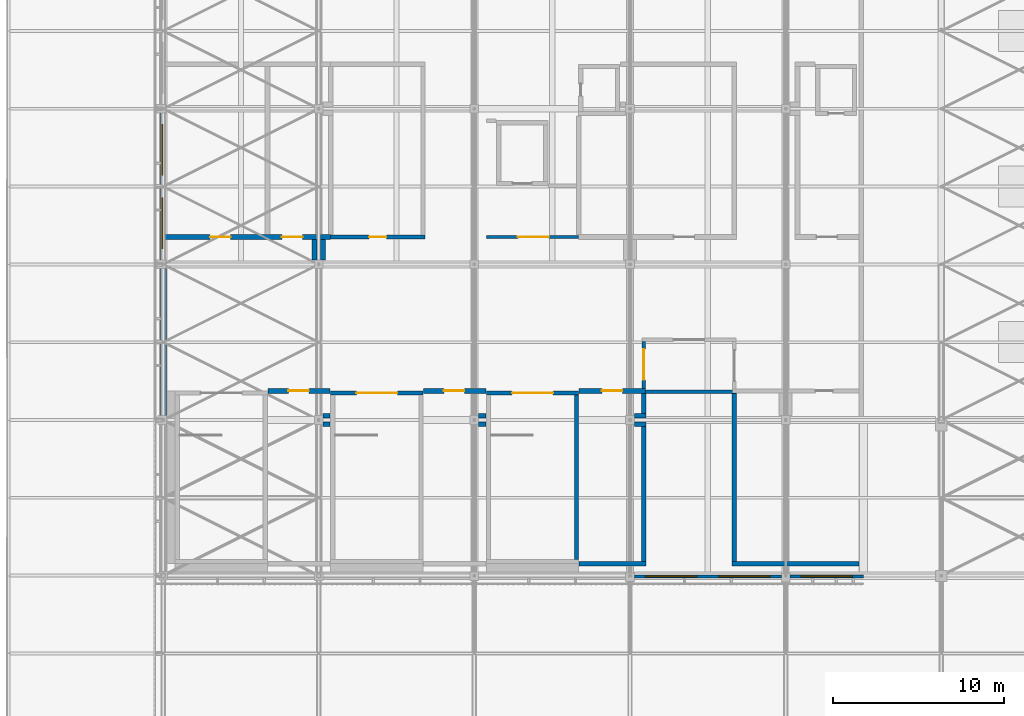
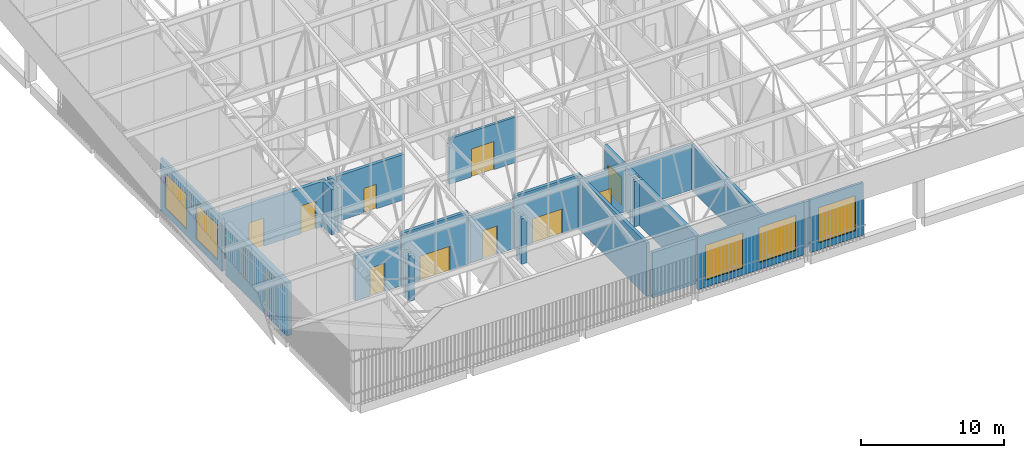
# One storey, part 424 of 500: 29 walls, 10 doors, 5 windows, 15 openings.
"""IFC4 building model written with IfcOpenShell, lengths in metres."""

from ifc_helpers import new_model, si_unit, direction, frame, frame_2d, origin, place, context, subcontext, project, spatial, rectangle, extrude, material, layer, layer_set, type_object, element, fill, save


model = new_model("IFC4")

# Units and contexts
model_context = context("Model", 3, precision=1e-05, world=origin(), true_north=direction((0.0, 1.0)))
body_context = subcontext(model_context, "Body", "Model", "MODEL_VIEW")
ifc_project = project(units=[si_unit("LENGTHUNIT", "METRE"), si_unit("AREAUNIT", "SQUARE_METRE"), si_unit("VOLUMEUNIT", "CUBIC_METRE"), si_unit("PLANEANGLEUNIT", "RADIAN"), si_unit("MASSUNIT", "GRAM", prefix="KILO")], contexts=[model_context])

# Site, building, storey
site_placement = place(None, origin())
site = spatial("IfcSite", under=ifc_project, at=site_placement, CompositionType="ELEMENT")
building_placement = place(site_placement, origin())
building = spatial("IfcBuilding", under=site, at=building_placement, Name="Shirokan Park Arena", CompositionType="ELEMENT")
storey_placement = place(building_placement, frame((0.0, 0.0, 29.1201171875)))
storey = spatial("IfcBuildingStorey", under=building, at=storey_placement, Name="L06", CompositionType="ELEMENT", Elevation=29.1201171875)

# Wall, opening, door
ifc_material_1 = material(Name="Plaster")
ifc_layer_1 = layer(ifc_material_1, 0.014892578125, Name="Plaster")
ifc_material_2 = material(Name="Concrete blockwork", Category="masonry")
ifc_layer_2 = layer(ifc_material_2, 0.219970703125, Name="Concrete blockwork 220")
ifc_layer_3 = layer(ifc_material_1, 0.014892578125, Name="Plaster")
ifc_layer_set_1 = layer_set([ifc_layer_1, ifc_layer_2, ifc_layer_3], Name="Plaster + Concrete blockwork 220")
wall_type_1 = type_object("IfcWallType", Name="Compartment wall 250", PredefinedType="SOLIDWALL", material=ifc_layer_set_1)
wall_1_placement = place(storey_placement, frame((9.800048828125, 19.800048828125, 0.0), z_axis=(0.0, 0.0, 1.0), x_axis=(1.0, 0.0, 0.0)))
wall_1 = element("IfcWall", 1, at=wall_1_placement, inside=storey, type_object=wall_type_1, Name="Compartment wall 250 L06", PredefinedType="SOLIDWALL", context=body_context, shape_type="SweptSolid", body=[
    extrude(rectangle(XDim=5.52490234375, YDim=0.25, at=frame_2d((2.762451171875, 0.0))), origin(), (0.0, 0.0, 1.0), 3.8798828125),
])
opening_1_placement = place(wall_1_placement, frame((2.25, 0.0, 0.0)))
opening_1 = element("IfcOpeningElement", 2, at=opening_1_placement, cuts=wall_1, Name="Opening D-6005", PredefinedType="OPENING", context=body_context, shape_type="SweptSolid", body=[
    extrude(rectangle(XDim=1.0, YDim=2.10009765625, at=frame_2d((0.5, 1.050048828125))), frame((0.0, 0.135009765625, 0.0), z_axis=(0.0, -1.0, 0.0), x_axis=(1.0, 0.0, 0.0)), (0.0, 0.0, 1.0), 0.27001953125),
])
ifc_material_3 = material(Name="Timber door set, fire resisting", Category="wood")
door_type_1 = type_object("IfcDoorType", Name="Door 1000 x 2100", OperationType="SINGLE_SWING_LEFT", PredefinedType="DOOR", material=ifc_material_3)
door_1_placement = place(opening_1_placement, origin())
door_1 = element("IfcDoor", 3, at=door_1_placement, inside=storey, type_object=door_type_1, Name="Door to Maintenance Equipment Store 6.16 D-6005", OperationType="SINGLE_SWING_RIGHT", OverallHeight=2.10009765625, OverallWidth=1.0, PredefinedType="DOOR", context=body_context, shape_type="SweptSolid", body=[
    extrude(rectangle(XDim=1.0, YDim=2.10009765625, at=frame_2d((0.5, 1.050048828125))), frame((0.0, 0.02490234375, 0.0), z_axis=(0.0, -1.0, 0.0), x_axis=(1.0, 0.0, 0.0)), (0.0, 0.0, 1.0), 0.050048828125),
])
fill(opening_1, door_1)

# Walls
wall_2_placement = place(storey_placement, frame((33.39990234375, 0.824951171875, 0.0), z_axis=(0.0, 0.0, 1.0), x_axis=(0.0, 1.0, 0.0)))
element("IfcWall", 4, at=wall_2_placement, inside=storey, type_object=wall_type_1, Name="Compartment wall 250 L06", PredefinedType="SOLIDWALL", context=body_context, shape_type="SweptSolid", body=[
    extrude(rectangle(XDim=9.824951171875, YDim=0.25, at=frame_2d((4.91259765625, 0.0))), origin(), (0.0, 0.0, 1.0), 3.8798828125),
])
wall_3_placement = place(storey_placement, frame((40.699951171875, 0.699951171875, 0.0), z_axis=(0.0, 0.0, 1.0), x_axis=(-1.0, 0.0, 0.0)))
element("IfcWall", 5, at=wall_3_placement, inside=storey, type_object=wall_type_1, Name="Compartment wall 250 L06", PredefinedType="SOLIDWALL", context=body_context, shape_type="SweptSolid", body=[
    extrude(rectangle(XDim=7.425048828125, YDim=0.25, at=frame_2d((3.71240234375, 0.0))), origin(), (0.0, 0.0, 1.0), 3.8798828125),
])

# Wall, opening, door
ifc_material_4 = material(Name="Gypsum board")
ifc_layer_4 = layer(ifc_material_4, 0.02490234375, Name="Gypsum board, two layers")
ifc_material_5 = material(Name="Mineral wool insulation")
ifc_layer_5 = layer(ifc_material_5, 0.14990234375, Name="Mineral wool insulation")
ifc_layer_6 = layer(ifc_material_4, 0.02490234375, Name="Gypsum board, two layers")
ifc_layer_set_2 = layer_set([ifc_layer_4, ifc_layer_5, ifc_layer_6], Name="Gypsum board, two layers + Mineral wool insulation")
wall_type_2 = type_object("IfcWallType", Name="Corridor wall 200", PredefinedType="PARTITIONING", material=ifc_layer_set_2)
wall_4_placement = place(storey_placement, frame((18.89990234375, 19.800048828125, 0.0), z_axis=(0.0, 0.0, 1.0), x_axis=(1.0, 0.0, 0.0)))
wall_4 = element("IfcWall", 6, at=wall_4_placement, inside=storey, type_object=wall_type_2, Name="Corridor wall 200 L06", PredefinedType="PARTITIONING", context=body_context, shape_type="SweptSolid", body=[
    extrude(rectangle(XDim=5.400146484375, YDim=0.199951171875, at=frame_2d((2.7001953125, 0.0))), origin(), (0.0, 0.0, 1.0), 3.8798828125),
])
opening_2_placement = place(wall_4_placement, frame((1.85009765625, 0.0, 0.0)))
opening_2 = element("IfcOpeningElement", 7, at=opening_2_placement, cuts=wall_4, Name="Opening D-6047", PredefinedType="OPENING", context=body_context, shape_type="SweptSolid", body=[
    extrude(rectangle(XDim=1.800048828125, YDim=2.39990234375, at=frame_2d((0.89990234375, 1.199951171875))), frame((0.0, 0.10986328125, 0.0), z_axis=(0.0, -1.0, 0.0), x_axis=(1.0, 0.0, 0.0)), (0.0, 0.0, 1.0), 0.219970703125),
])
ifc_material_6 = material(Name="Glazed steel door set, fire resisting", Category="steel")
door_type_2 = type_object("IfcDoorType", Name="Lift lobby door 1800 x 2400", OperationType="DOUBLE_DOOR_SINGLE_SWING", PredefinedType="DOOR", material=ifc_material_6)
door_2_placement = place(opening_2_placement, origin())
door_2 = element("IfcDoor", 8, at=door_2_placement, inside=storey, type_object=door_type_2, Name="Door between Plant Gallery 1.6.1 and Service Lift Lobby 1.6 D-6047", OperationType="DOUBLE_DOOR_SINGLE_SWING", OverallHeight=2.39990234375, OverallWidth=1.800048828125, PredefinedType="DOOR", context=body_context, shape_type="SweptSolid", body=[
    extrude(rectangle(XDim=1.800048828125, YDim=2.39990234375, at=frame_2d((0.89990234375, 1.199951171875))), frame((0.0, 0.02490234375, 0.0), z_axis=(0.0, -1.0, 0.0), x_axis=(1.0, 0.0, 0.0)), (0.0, 0.0, 1.0), 0.050048828125),
])
fill(opening_2, door_2)

wall_5_placement = place(storey_placement, frame((28.10009765625, 13.699951171875, 0.0), z_axis=(0.0, 0.0, 1.0), x_axis=(0.0, -1.0, 0.0)))
wall_5 = element("IfcWall", 9, at=wall_5_placement, inside=storey, type_object=wall_type_2, Name="Corridor wall 200 L06", PredefinedType="PARTITIONING", context=body_context, shape_type="SweptSolid", body=[
    extrude(rectangle(XDim=2.762451171875, YDim=0.199951171875, at=frame_2d((1.38134765625, 0.0))), origin(), (0.0, 0.0, 1.0), 3.8798828125),
])
opening_3_placement = place(wall_5_placement, frame((0.449951171875, 0.0, 0.0)))
opening_3 = element("IfcOpeningElement", 10, at=opening_3_placement, cuts=wall_5, Name="Opening D-6046", PredefinedType="OPENING", context=body_context, shape_type="SweptSolid", body=[
    extrude(rectangle(XDim=1.800048828125, YDim=2.39990234375, at=frame_2d((0.89990234375, 1.199951171875))), frame((0.0, 0.10986328125, 0.0), z_axis=(0.0, -1.0, 0.0), x_axis=(1.0, 0.0, 0.0)), (0.0, 0.0, 1.0), 0.219970703125),
])
door_3_placement = place(opening_3_placement, origin())
door_3 = element("IfcDoor", 11, at=door_3_placement, inside=storey, type_object=door_type_2, Name="Door between Plant Gallery 1.6.1 and Lift Lobby 1.6 D-6046", OperationType="DOUBLE_DOOR_SINGLE_SWING", OverallHeight=2.39990234375, OverallWidth=1.800048828125, PredefinedType="DOOR", context=body_context, shape_type="SweptSolid", body=[
    extrude(rectangle(XDim=1.800048828125, YDim=2.39990234375, at=frame_2d((0.89990234375, 1.199951171875))), frame((0.0, 0.02490234375, 0.0), z_axis=(0.0, -1.0, 0.0), x_axis=(1.0, 0.0, 0.0)), (0.0, 0.0, 1.0), 0.050048828125),
])
fill(opening_3, door_3)

# Walls
wall_6_placement = place(storey_placement, frame((33.52490234375, 10.75, 0.0), z_axis=(0.0, 0.0, 1.0), x_axis=(-1.0, 0.0, 0.0)))
element("IfcWall", 12, at=wall_6_placement, inside=storey, type_object=wall_type_2, Name="Corridor wall 200 L06", PredefinedType="PARTITIONING", context=body_context, shape_type="SweptSolid", body=[
    extrude(rectangle(XDim=5.5625, YDim=0.199951171875, at=frame_2d((2.78125, 0.0))), origin(), (0.0, 0.0, 1.0), 3.8798828125),
])
ifc_material_7 = material(Name="Cedar cladding")
ifc_layer_7 = layer(ifc_material_7, 0.030029296875, Name="Cedar cladding")
ifc_layer_8 = layer(ifc_material_5, 0.10009765625, Name="Mineral wool insulation")
ifc_material_8 = material(Name="Concrete C35", Category="concrete")
ifc_layer_9 = layer(ifc_material_8, 0.199951171875, Name="Concrete C35")
ifc_material_9 = material(Name="Gypsum board lining")
ifc_layer_10 = layer(ifc_material_9, 0.02001953125, Name="Gypsum board lining")
ifc_layer_set_3 = layer_set([ifc_layer_7, ifc_layer_8, ifc_layer_9, ifc_layer_10], Name="Cedar cladding + Mineral wool insulation + Concrete C35 + Gypsum board lining")
wall_type_3 = type_object("IfcWallType", Name="Insulated tower wall 350", PredefinedType="SOLIDWALL", material=ifc_layer_set_3)
wall_7_placement = place(storey_placement, frame((0.02490234375, 17.949951171875, 0.0), z_axis=(0.0, 0.0, 1.0), x_axis=(0.0, -1.0, 0.0)))
element("IfcWall", 13, at=wall_7_placement, inside=storey, type_object=wall_type_3, Name="West facade wall bay 11 L06", PredefinedType="SOLIDWALL", context=body_context, shape_type="SweptSolid", body=[
    extrude(rectangle(XDim=8.599853515625, YDim=0.35009765625, at=frame_2d((4.2998046875, 0.0))), origin(), (0.0, 0.0, 1.0), 4.5),
])

# Wall, openings, windows
ifc_layer_11 = layer(ifc_material_8, 0.14990234375, Name="Concrete C35")
ifc_layer_12 = layer(ifc_material_5, 0.050048828125, Name="Mineral wool insulation")
ifc_layer_set_4 = layer_set([ifc_layer_11, ifc_layer_12], Name="Concrete C35 + Mineral wool insulation")
wall_type_4 = type_object("IfcWallType", Name="Plant gallery wall 200", PredefinedType="SOLIDWALL", material=ifc_layer_set_4)
wall_8_placement = place(storey_placement, frame((27.550048828125, -0.050048828125, 0.0), z_axis=(0.0, 0.0, 1.0), x_axis=(1.0, 0.0, 0.0)))
wall_8 = element("IfcWall", 14, at=wall_8_placement, inside=storey, type_object=wall_type_4, Name="South facade wall bay 4 L06", PredefinedType="SOLIDWALL", context=body_context, shape_type="SweptSolid", body=[
    extrude(rectangle(XDim=8.599853515625, YDim=0.199951171875, at=frame_2d((4.2998046875, 0.0))), origin(), (0.0, 0.0, 1.0), 4.5),
])
opening_4_placement = place(wall_8_placement, frame((0.64990234375, 0.0, 0.60009765625)))
opening_4 = element("IfcOpeningElement", 15, at=opening_4_placement, cuts=wall_8, Name="Opening W2", PredefinedType="OPENING", context=body_context, shape_type="SweptSolid", body=[
    extrude(rectangle(XDim=3.0, YDim=3.0, at=frame_2d((1.5, 1.5))), frame((0.0, 0.10986328125, 0.0), z_axis=(0.0, -1.0, 0.0), x_axis=(1.0, 0.0, 0.0)), (0.0, 0.0, 1.0), 0.219970703125),
])
opening_5_placement = place(wall_8_placement, frame((4.949951171875, 0.0, 0.60009765625)))
opening_5 = element("IfcOpeningElement", 16, at=opening_5_placement, cuts=wall_8, Name="Opening W2", PredefinedType="OPENING", context=body_context, shape_type="SweptSolid", body=[
    extrude(rectangle(XDim=3.0, YDim=3.0, at=frame_2d((1.5, 1.5))), frame((0.0, 0.10986328125, 0.0), z_axis=(0.0, -1.0, 0.0), x_axis=(1.0, 0.0, 0.0)), (0.0, 0.0, 1.0), 0.219970703125),
])
ifc_material_10 = material(Name="Aluminium louvre", Category="aluminium")
window_type = type_object("IfcWindowType", Name="Plant louvre 3000x3000", PartitioningType="DOUBLE_PANEL_VERTICAL", PredefinedType="WINDOW", material=ifc_material_10)
window_1_placement = place(opening_4_placement, origin())
window_1 = element("IfcWindow", 17, at=window_1_placement, inside=storey, type_object=window_type, Name="Plant louvre 3000x3000 south bay 4 L06", OverallHeight=3.0, OverallWidth=3.0, PartitioningType="SINGLE_PANEL", PredefinedType="WINDOW", context=body_context, shape_type="SweptSolid", body=[
    extrude(rectangle(XDim=3.0, YDim=3.0, at=frame_2d((1.5, 1.5))), frame((0.0, 0.030029296875, 0.0), z_axis=(0.0, -1.0, 0.0), x_axis=(1.0, 0.0, 0.0)), (0.0, 0.0, 1.0), 0.06005859375),
])
fill(opening_4, window_1)
window_2_placement = place(opening_5_placement, origin())
window_2 = element("IfcWindow", 18, at=window_2_placement, inside=storey, type_object=window_type, Name="Plant louvre 3000x3000 south bay 4 L06", OverallHeight=3.0, OverallWidth=3.0, PartitioningType="SINGLE_PANEL", PredefinedType="WINDOW", context=body_context, shape_type="SweptSolid", body=[
    extrude(rectangle(XDim=3.0, YDim=3.0, at=frame_2d((1.5, 1.5))), frame((0.0, 0.030029296875, 0.0), z_axis=(0.0, -1.0, 0.0), x_axis=(1.0, 0.0, 0.0)), (0.0, 0.0, 1.0), 0.06005859375),
])
fill(opening_5, window_2)

# Wall, opening, window
wall_9_placement = place(storey_placement, frame((36.64990234375, -0.050048828125, 0.0), z_axis=(0.0, 0.0, 1.0), x_axis=(1.0, 0.0, 0.0)))
wall_9 = element("IfcWall", 19, at=wall_9_placement, inside=storey, type_object=wall_type_4, Name="South facade wall bay 5 L06", PredefinedType="SOLIDWALL", context=body_context, shape_type="SweptSolid", body=[
    extrude(rectangle(XDim=4.300048828125, YDim=0.199951171875, at=frame_2d((2.14990234375, 0.0))), origin(), (0.0, 0.0, 1.0), 4.5),
])
opening_6_placement = place(wall_9_placement, frame((0.64990234375, 0.0, 0.60009765625)))
opening_6 = element("IfcOpeningElement", 20, at=opening_6_placement, cuts=wall_9, Name="Opening W2", PredefinedType="OPENING", context=body_context, shape_type="SweptSolid", body=[
    extrude(rectangle(XDim=3.0, YDim=3.0, at=frame_2d((1.5, 1.5))), frame((0.0, 0.10986328125, 0.0), z_axis=(0.0, -1.0, 0.0), x_axis=(1.0, 0.0, 0.0)), (0.0, 0.0, 1.0), 0.219970703125),
])
window_3_placement = place(opening_6_placement, origin())
window_3 = element("IfcWindow", 21, at=window_3_placement, inside=storey, type_object=window_type, Name="Plant louvre 3000x3000 south bay 5 L06", OverallHeight=3.0, OverallWidth=3.0, PartitioningType="SINGLE_PANEL", PredefinedType="WINDOW", context=body_context, shape_type="SweptSolid", body=[
    extrude(rectangle(XDim=3.0, YDim=3.0, at=frame_2d((1.5, 1.5))), frame((0.0, 0.030029296875, 0.0), z_axis=(0.0, -1.0, 0.0), x_axis=(1.0, 0.0, 0.0)), (0.0, 0.0, 1.0), 0.06005859375),
])
fill(opening_6, window_3)

# Wall, openings, windows
wall_10_placement = place(storey_placement, frame((-0.050048828125, 27.050048828125, 0.0), z_axis=(0.0, 0.0, 1.0), x_axis=(0.0, -1.0, 0.0)))
wall_10 = element("IfcWall", 22, at=wall_10_placement, inside=storey, type_object=wall_type_4, Name="West facade wall bay 10 L06", PredefinedType="SOLIDWALL", context=body_context, shape_type="SweptSolid", body=[
    extrude(rectangle(XDim=8.60009765625, YDim=0.199951171875, at=frame_2d((4.300048828125, 0.0))), origin(), (0.0, 0.0, 1.0), 4.5),
])
opening_7_placement = place(wall_10_placement, frame((0.64990234375, 0.0, 0.60009765625)))
opening_7 = element("IfcOpeningElement", 23, at=opening_7_placement, cuts=wall_10, Name="Opening W2", PredefinedType="OPENING", context=body_context, shape_type="SweptSolid", body=[
    extrude(rectangle(XDim=3.0, YDim=3.0, at=frame_2d((1.5, 1.5))), frame((0.0, 0.10986328125, 0.0), z_axis=(0.0, -1.0, 0.0), x_axis=(1.0, 0.0, 0.0)), (0.0, 0.0, 1.0), 0.219970703125),
])
opening_8_placement = place(wall_10_placement, frame((4.949951171875, 0.0, 0.60009765625)))
opening_8 = element("IfcOpeningElement", 24, at=opening_8_placement, cuts=wall_10, Name="Opening W2", PredefinedType="OPENING", context=body_context, shape_type="SweptSolid", body=[
    extrude(rectangle(XDim=3.0, YDim=3.0, at=frame_2d((1.5, 1.5))), frame((0.0, 0.10986328125, 0.0), z_axis=(0.0, -1.0, 0.0), x_axis=(1.0, 0.0, 0.0)), (0.0, 0.0, 1.0), 0.219970703125),
])
window_4_placement = place(opening_7_placement, origin())
window_4 = element("IfcWindow", 25, at=window_4_placement, inside=storey, type_object=window_type, Name="Plant louvre 3000x3000 west bay 10 L06", OverallHeight=3.0, OverallWidth=3.0, PartitioningType="SINGLE_PANEL", PredefinedType="WINDOW", context=body_context, shape_type="SweptSolid", body=[
    extrude(rectangle(XDim=3.0, YDim=3.0, at=frame_2d((1.5, 1.5))), frame((0.0, 0.030029296875, 0.0), z_axis=(0.0, -1.0, 0.0), x_axis=(1.0, 0.0, 0.0)), (0.0, 0.0, 1.0), 0.06005859375),
])
fill(opening_7, window_4)
window_5_placement = place(opening_8_placement, origin())
window_5 = element("IfcWindow", 26, at=window_5_placement, inside=storey, type_object=window_type, Name="Plant louvre 3000x3000 west bay 10 L06", OverallHeight=3.0, OverallWidth=3.0, PartitioningType="SINGLE_PANEL", PredefinedType="WINDOW", context=body_context, shape_type="SweptSolid", body=[
    extrude(rectangle(XDim=3.0, YDim=3.0, at=frame_2d((1.5, 1.5))), frame((0.0, 0.030029296875, 0.0), z_axis=(0.0, -1.0, 0.0), x_axis=(1.0, 0.0, 0.0)), (0.0, 0.0, 1.0), 0.06005859375),
])
fill(opening_8, window_5)

# Wall, openings, doors
ifc_layer_13 = layer(ifc_material_1, 0.012451171875, Name="Plaster")
ifc_layer_14 = layer(ifc_material_2, 0.25, Name="Concrete blockwork 250")
ifc_layer_15 = layer(ifc_material_1, 0.012451171875, Name="Plaster")
ifc_layer_set_5 = layer_set([ifc_layer_13, ifc_layer_14, ifc_layer_15], Name="Plaster + Concrete blockwork 250")
wall_type_5 = type_object("IfcWallType", Name="Plant room wall 275", PredefinedType="SOLIDWALL", material=ifc_layer_set_5)
wall_11_placement = place(storey_placement, frame((0.050048828125, 19.800048828125, 0.0), z_axis=(0.0, 0.0, 1.0), x_axis=(1.0, 0.0, 0.0)))
wall_11 = element("IfcWall", 27, at=wall_11_placement, inside=storey, type_object=wall_type_5, Name="Plant room wall 275 L06", PredefinedType="SOLIDWALL", context=body_context, shape_type="SweptSolid", body=[
    extrude(rectangle(XDim=8.9375, YDim=0.27490234375, at=frame_2d((4.46875, 0.0))), origin(), (0.0, 0.0, 1.0), 3.8798828125),
])
opening_9_placement = place(wall_11_placement, frame((6.89990234375, 0.0, 0.0)))
opening_9 = element("IfcOpeningElement", 28, at=opening_9_placement, cuts=wall_11, Name="Opening D-6001", PredefinedType="OPENING", context=body_context, shape_type="SweptSolid", body=[
    extrude(rectangle(XDim=1.199951171875, YDim=2.39990234375, at=frame_2d((0.60009765625, 1.199951171875))), frame((0.0, 0.1474609375, 0.0), z_axis=(0.0, -1.0, 0.0), x_axis=(1.0, 0.0, 0.0)), (0.0, 0.0, 1.0), 0.294921875),
])
opening_10_placement = place(wall_11_placement, frame((2.699951171875, 0.0, 0.0)))
opening_10 = element("IfcOpeningElement", 29, at=opening_10_placement, cuts=wall_11, Name="Opening D-6004", PredefinedType="OPENING", context=body_context, shape_type="SweptSolid", body=[
    extrude(rectangle(XDim=1.199951171875, YDim=2.39990234375, at=frame_2d((0.60009765625, 1.199951171875))), frame((0.0, 0.1474609375, 0.0), z_axis=(0.0, -1.0, 0.0), x_axis=(1.0, 0.0, 0.0)), (0.0, 0.0, 1.0), 0.294921875),
])
ifc_material_11 = material(Name="Louvred steel door set, fire resisting", Category="steel")
door_type_3 = type_object("IfcDoorType", Name="Plant room door 1200 x 2400", OperationType="SINGLE_SWING_LEFT", PredefinedType="DOOR", material=ifc_material_11)
door_4_placement = place(opening_9_placement, origin())
door_4 = element("IfcDoor", 30, at=door_4_placement, inside=storey, type_object=door_type_3, Name="Door to Plant Store 6.17 D-6001", OperationType="SINGLE_SWING_LEFT", OverallHeight=2.39990234375, OverallWidth=1.199951171875, PredefinedType="DOOR", context=body_context, shape_type="SweptSolid", body=[
    extrude(rectangle(XDim=1.199951171875, YDim=2.39990234375, at=frame_2d((0.60009765625, 1.199951171875))), frame((0.0, 0.02490234375, 0.0), z_axis=(0.0, -1.0, 0.0), x_axis=(1.0, 0.0, 0.0)), (0.0, 0.0, 1.0), 0.050048828125),
])
fill(opening_9, door_4)
door_5_placement = place(opening_10_placement, origin())
door_5 = element("IfcDoor", 31, at=door_5_placement, inside=storey, type_object=door_type_3, Name="Door to Electrical Room 6.15 D-6004", OperationType="SINGLE_SWING_RIGHT", OverallHeight=2.39990234375, OverallWidth=1.199951171875, PredefinedType="DOOR", context=body_context, shape_type="SweptSolid", body=[
    extrude(rectangle(XDim=1.199951171875, YDim=2.39990234375, at=frame_2d((0.60009765625, 1.199951171875))), frame((0.0, 0.02490234375, 0.0), z_axis=(0.0, -1.0, 0.0), x_axis=(1.0, 0.0, 0.0)), (0.0, 0.0, 1.0), 0.050048828125),
])
fill(opening_10, door_5)

# Walls
wall_12_placement = place(storey_placement, frame((8.85009765625, 19.66259765625, 0.0), z_axis=(0.0, 0.0, 1.0), x_axis=(0.0, -1.0, 0.0)))
element("IfcWall", 32, at=wall_12_placement, inside=storey, type_object=wall_type_5, Name="Plant room wall 275 L06", PredefinedType="SOLIDWALL", context=body_context, shape_type="SweptSolid", body=[
    extrude(rectangle(XDim=1.212646484375, YDim=0.27490234375, at=frame_2d((0.6064453125, 0.0))), origin(), (0.0, 0.0, 1.0), 3.8798828125),
])
wall_13_placement = place(storey_placement, frame((9.21240234375, 19.800048828125, 0.0), z_axis=(0.0, 0.0, 1.0), x_axis=(1.0, 0.0, 0.0)))
element("IfcWall", 33, at=wall_13_placement, inside=storey, type_object=wall_type_5, Name="Plant room wall 275 L06", PredefinedType="SOLIDWALL", context=body_context, shape_type="SweptSolid", body=[
    extrude(rectangle(XDim=0.587646484375, YDim=0.27490234375, at=frame_2d((0.2939453125, 0.0))), origin(), (0.0, 0.0, 1.0), 3.8798828125),
])
wall_14_placement = place(storey_placement, frame((9.35009765625, 8.85009765625, 0.0), z_axis=(0.0, 0.0, 1.0), x_axis=(1.0, 0.0, 0.0)))
element("IfcWall", 34, at=wall_14_placement, inside=storey, type_object=wall_type_5, Name="Plant room wall 275 L06", PredefinedType="SOLIDWALL", context=body_context, shape_type="SweptSolid", body=[
    extrude(rectangle(XDim=0.419921875, YDim=0.27490234375, at=frame_2d((0.2099609375, 0.0))), origin(), (0.0, 0.0, 1.0), 3.8798828125),
])
wall_15_placement = place(storey_placement, frame((9.35009765625, 18.449951171875, 0.0), z_axis=(0.0, 0.0, 1.0), x_axis=(0.0, 1.0, 0.0)))
element("IfcWall", 35, at=wall_15_placement, inside=storey, type_object=wall_type_5, Name="Plant room wall 275 L06", PredefinedType="SOLIDWALL", context=body_context, shape_type="SweptSolid", body=[
    extrude(rectangle(XDim=1.212646484375, YDim=0.27490234375, at=frame_2d((0.6064453125, 0.0))), origin(), (0.0, 0.0, 1.0), 3.8798828125),
])
wall_16_placement = place(storey_placement, frame((9.77001953125, 9.35009765625, 0.0), z_axis=(0.0, 0.0, 1.0), x_axis=(-1.0, 0.0, 0.0)))
element("IfcWall", 36, at=wall_16_placement, inside=storey, type_object=wall_type_5, Name="Plant room wall 275 L06", PredefinedType="SOLIDWALL", context=body_context, shape_type="SweptSolid", body=[
    extrude(rectangle(XDim=0.419921875, YDim=0.27490234375, at=frame_2d((0.2099609375, 0.0))), origin(), (0.0, 0.0, 1.0), 3.8798828125),
])

# Wall, opening, door
wall_17_placement = place(storey_placement, frame((9.77001953125, 10.800048828125, 0.0), z_axis=(0.0, 0.0, 1.0), x_axis=(-1.0, 0.0, 0.0)))
wall_17 = element("IfcWall", 37, at=wall_17_placement, inside=storey, type_object=wall_type_5, Name="Plant room wall 275 L06", PredefinedType="SOLIDWALL", context=body_context, shape_type="SweptSolid", body=[
    extrude(rectangle(XDim=3.64013671875, YDim=0.27490234375, at=frame_2d((1.820068359375, 0.0))), origin(), (0.0, 0.0, 1.0), 3.8798828125),
])
opening_11_placement = place(wall_17_placement, frame((1.25, 0.0, 0.0)))
opening_11 = element("IfcOpeningElement", 38, at=opening_11_placement, cuts=wall_17, Name="Opening D-6006", PredefinedType="OPENING", context=body_context, shape_type="SweptSolid", body=[
    extrude(rectangle(XDim=1.199951171875, YDim=2.39990234375, at=frame_2d((0.60009765625, 1.199951171875))), frame((0.0, 0.1474609375, 0.0), z_axis=(0.0, -1.0, 0.0), x_axis=(1.0, 0.0, 0.0)), (0.0, 0.0, 1.0), 0.294921875),
])
door_6_placement = place(opening_11_placement, origin())
door_6 = element("IfcDoor", 39, at=door_6_placement, inside=storey, type_object=door_type_3, Name="Door to Plant Store 6.10 D-6006", OperationType="SINGLE_SWING_LEFT", OverallHeight=2.39990234375, OverallWidth=1.199951171875, PredefinedType="DOOR", context=body_context, shape_type="SweptSolid", body=[
    extrude(rectangle(XDim=1.199951171875, YDim=2.39990234375, at=frame_2d((0.60009765625, 1.199951171875))), frame((0.0, 0.02490234375, 0.0), z_axis=(0.0, -1.0, 0.0), x_axis=(1.0, 0.0, 0.0)), (0.0, 0.0, 1.0), 0.050048828125),
])
fill(opening_11, door_6)

# Walls
for number, where, z_axis, x_axis, name in (
    (40, (18.449951171875, 8.85009765625, 0.0), (0.0, 0.0, 1.0), (1.0, 0.0, 0.0), "Plant room wall 275 L06"),
    (41, (18.8701171875, 9.35009765625, 0.0), (0.0, 0.0, 1.0), (-1.0, 0.0, 0.0), "Plant room wall 275 L06"),
):
    element("IfcWall", number, at=place(storey_placement, frame(where, z_axis=z_axis, x_axis=x_axis)), inside=storey, type_object=wall_type_5, Name=name, PredefinedType="SOLIDWALL", context=body_context, shape_type="SweptSolid", body=[
        extrude(rectangle(XDim=0.420166015625, YDim=0.27490234375, at=frame_2d((0.2099609375, 0.0))), origin(), (0.0, 0.0, 1.0), 3.8798828125),
    ])

# Wall, opening, door
wall_18_placement = place(storey_placement, frame((18.8701171875, 10.800048828125, 0.0), z_axis=(0.0, 0.0, 1.0), x_axis=(-1.0, 0.0, 0.0)))
wall_18 = element("IfcWall", 42, at=wall_18_placement, inside=storey, type_object=wall_type_5, Name="Plant room wall 275 L06", PredefinedType="SOLIDWALL", context=body_context, shape_type="SweptSolid", body=[
    extrude(rectangle(XDim=3.64013671875, YDim=0.27490234375, at=frame_2d((1.820068359375, 0.0))), origin(), (0.0, 0.0, 1.0), 3.8798828125),
])
opening_12_placement = place(wall_18_placement, frame((1.25, 0.0, 0.0)))
opening_12 = element("IfcOpeningElement", 43, at=opening_12_placement, cuts=wall_18, Name="Opening D-6007", PredefinedType="OPENING", context=body_context, shape_type="SweptSolid", body=[
    extrude(rectangle(XDim=1.199951171875, YDim=2.39990234375, at=frame_2d((0.60009765625, 1.199951171875))), frame((0.0, 0.1474609375, 0.0), z_axis=(0.0, -1.0, 0.0), x_axis=(1.0, 0.0, 0.0)), (0.0, 0.0, 1.0), 0.294921875),
])
door_7_placement = place(opening_12_placement, origin())
door_7 = element("IfcDoor", 44, at=door_7_placement, inside=storey, type_object=door_type_3, Name="Door to Electrical Room 6.11 D-6007", OperationType="SINGLE_SWING_LEFT", OverallHeight=2.39990234375, OverallWidth=1.199951171875, PredefinedType="DOOR", context=body_context, shape_type="SweptSolid", body=[
    extrude(rectangle(XDim=1.199951171875, YDim=2.39990234375, at=frame_2d((0.60009765625, 1.199951171875))), frame((0.0, 0.02490234375, 0.0), z_axis=(0.0, -1.0, 0.0), x_axis=(1.0, 0.0, 0.0)), (0.0, 0.0, 1.0), 0.050048828125),
])
fill(opening_12, door_7)

# Walls
wall_19_placement = place(storey_placement, frame((27.550048828125, 8.85009765625, 0.0), z_axis=(0.0, 0.0, 1.0), x_axis=(1.0, 0.0, 0.0)))
element("IfcWall", 45, at=wall_19_placement, inside=storey, type_object=wall_type_5, Name="Plant room wall 275 L06", PredefinedType="SOLIDWALL", context=body_context, shape_type="SweptSolid", body=[
    extrude(rectangle(XDim=0.6875, YDim=0.27490234375, at=frame_2d((0.34375, 0.0))), origin(), (0.0, 0.0, 1.0), 3.8798828125),
])
wall_20_placement = place(storey_placement, frame((28.10009765625, 8.71240234375, 0.0), z_axis=(0.0, 0.0, 1.0), x_axis=(0.0, -1.0, 0.0)))
element("IfcWall", 46, at=wall_20_placement, inside=storey, type_object=wall_type_5, Name="Plant room wall 275 L06", PredefinedType="SOLIDWALL", context=body_context, shape_type="SweptSolid", body=[
    extrude(rectangle(XDim=7.875, YDim=0.27490234375, at=frame_2d((3.9375, 0.0))), origin(), (0.0, 0.0, 1.0), 3.8798828125),
])
wall_21_placement = place(storey_placement, frame((28.10009765625, 10.64990234375, 0.0), z_axis=(0.0, 0.0, 1.0), x_axis=(0.0, -1.0, 0.0)))
element("IfcWall", 47, at=wall_21_placement, inside=storey, type_object=wall_type_5, Name="Plant room wall 275 L06", PredefinedType="SOLIDWALL", context=body_context, shape_type="SweptSolid", body=[
    extrude(rectangle(XDim=1.162353515625, YDim=0.27490234375, at=frame_2d((0.5810546875, 0.0))), origin(), (0.0, 0.0, 1.0), 3.8798828125),
])

# Wall, opening, door
wall_22_placement = place(storey_placement, frame((28.199951171875, 10.800048828125, 0.0), z_axis=(0.0, 0.0, 1.0), x_axis=(-1.0, 0.0, 0.0)))
wall_22 = element("IfcWall", 48, at=wall_22_placement, inside=storey, type_object=wall_type_5, Name="Plant room wall 275 L06", PredefinedType="SOLIDWALL", context=body_context, shape_type="SweptSolid", body=[
    extrude(rectangle(XDim=3.869873046875, YDim=0.27490234375, at=frame_2d((1.93505859375, 0.0))), origin(), (0.0, 0.0, 1.0), 3.8798828125),
])
opening_13_placement = place(wall_22_placement, frame((1.35009765625, 0.0, 0.0)))
opening_13 = element("IfcOpeningElement", 49, at=opening_13_placement, cuts=wall_22, Name="Opening D-6008", PredefinedType="OPENING", context=body_context, shape_type="SweptSolid", body=[
    extrude(rectangle(XDim=1.199951171875, YDim=2.39990234375, at=frame_2d((0.60009765625, 1.199951171875))), frame((0.0, 0.1474609375, 0.0), z_axis=(0.0, -1.0, 0.0), x_axis=(1.0, 0.0, 0.0)), (0.0, 0.0, 1.0), 0.294921875),
])
door_8_placement = place(opening_13_placement, origin())
door_8 = element("IfcDoor", 50, at=door_8_placement, inside=storey, type_object=door_type_3, Name="Door to Communications Room 6.12 D-6008", OperationType="SINGLE_SWING_LEFT", OverallHeight=2.39990234375, OverallWidth=1.199951171875, PredefinedType="DOOR", context=body_context, shape_type="SweptSolid", body=[
    extrude(rectangle(XDim=1.199951171875, YDim=2.39990234375, at=frame_2d((0.60009765625, 1.199951171875))), frame((0.0, 0.02490234375, 0.0), z_axis=(0.0, -1.0, 0.0), x_axis=(1.0, 0.0, 0.0)), (0.0, 0.0, 1.0), 0.050048828125),
])
fill(opening_13, door_8)

# Walls
wall_23_placement = place(storey_placement, frame((28.237548828125, 0.699951171875, 0.0), z_axis=(0.0, 0.0, 1.0), x_axis=(-1.0, 0.0, 0.0)))
element("IfcWall", 51, at=wall_23_placement, inside=storey, type_object=wall_type_5, Name="Plant room wall 275 L06", PredefinedType="SOLIDWALL", context=body_context, shape_type="SweptSolid", body=[
    extrude(rectangle(XDim=3.907470703125, YDim=0.27490234375, at=frame_2d((1.95361328125, 0.0))), origin(), (0.0, 0.0, 1.0), 3.8798828125),
])
wall_24_placement = place(storey_placement, frame((28.237548828125, 9.35009765625, 0.0), z_axis=(0.0, 0.0, 1.0), x_axis=(-1.0, 0.0, 0.0)))
element("IfcWall", 52, at=wall_24_placement, inside=storey, type_object=wall_type_5, Name="Plant room wall 275 L06", PredefinedType="SOLIDWALL", context=body_context, shape_type="SweptSolid", body=[
    extrude(rectangle(XDim=0.6875, YDim=0.27490234375, at=frame_2d((0.34375, 0.0))), origin(), (0.0, 0.0, 1.0), 3.8798828125),
])

# Wall, opening, door
ifc_material_12 = material(Name="Concrete C40/50", Category="concrete")
ifc_layer_16 = layer(ifc_material_12, 0.25)
ifc_layer_set_6 = layer_set([ifc_layer_16], Name="Concrete C40/50 250 mm")
wall_type_6 = type_object("IfcWallType", Name="RC shear wall 250", PredefinedType="SHEAR", material=ifc_layer_set_6)
wall_25_placement = place(storey_placement, frame((15.199951171875, 10.675048828125, 0.0), z_axis=(0.0, 0.0, 1.0), x_axis=(-1.0, 0.0, 0.0)))
wall_25 = element("IfcWall", 53, at=wall_25_placement, inside=storey, type_object=wall_type_6, Name="Shaft wall Exit Stair 1.B N L06", PredefinedType="SHEAR", context=body_context, shape_type="SweptSolid", body=[
    extrude(rectangle(XDim=5.39990234375, YDim=0.25, at=frame_2d((2.699951171875, 0.0))), origin(), (0.0, 0.0, 1.0), 4.5498046875),
])
opening_14_placement = place(wall_25_placement, frame((1.5, 0.0, 0.0)))
opening_14 = element("IfcOpeningElement", 54, at=opening_14_placement, cuts=wall_25, Name="Opening D-6069", PredefinedType="OPENING", context=body_context, shape_type="SweptSolid", body=[
    extrude(rectangle(XDim=2.39990234375, YDim=2.10009765625, at=frame_2d((1.199951171875, 1.050048828125))), frame((0.0, 0.135009765625, 0.0), z_axis=(0.0, -1.0, 0.0), x_axis=(1.0, 0.0, 0.0)), (0.0, 0.0, 1.0), 0.27001953125),
])
ifc_material_13 = material(Name="Steel door set, fire resisting", Category="steel")
door_type_4 = type_object("IfcDoorType", Name="Stair door 2400 x 2100", OperationType="DOUBLE_DOOR_SINGLE_SWING", PredefinedType="DOOR", material=ifc_material_13)
door_9_placement = place(opening_14_placement, origin())
door_9 = element("IfcDoor", 55, at=door_9_placement, inside=storey, type_object=door_type_4, Name="Stair door Exit Stair 1.B D-6069", OperationType="DOUBLE_DOOR_SINGLE_SWING", OverallHeight=2.10009765625, OverallWidth=2.39990234375, PredefinedType="DOOR", context=body_context, shape_type="SweptSolid", body=[
    extrude(rectangle(XDim=2.39990234375, YDim=2.10009765625, at=frame_2d((1.199951171875, 1.050048828125))), frame((0.0, 0.02490234375, 0.0), z_axis=(0.0, -1.0, 0.0), x_axis=(1.0, 0.0, 0.0)), (0.0, 0.0, 1.0), 0.050048828125),
])
fill(opening_14, door_9)

wall_26_placement = place(storey_placement, frame((24.300048828125, 10.675048828125, 0.0), z_axis=(0.0, 0.0, 1.0), x_axis=(-1.0, 0.0, 0.0)))
wall_26 = element("IfcWall", 56, at=wall_26_placement, inside=storey, type_object=wall_type_6, Name="Shaft wall Exit Stair 1.C N L06", PredefinedType="SHEAR", context=body_context, shape_type="SweptSolid", body=[
    extrude(rectangle(XDim=5.400146484375, YDim=0.25, at=frame_2d((2.7001953125, 0.0))), origin(), (0.0, 0.0, 1.0), 4.5498046875),
])
opening_15_placement = place(wall_26_placement, frame((1.5, 0.0, 0.0)))
opening_15 = element("IfcOpeningElement", 57, at=opening_15_placement, cuts=wall_26, Name="Opening D-6070", PredefinedType="OPENING", context=body_context, shape_type="SweptSolid", body=[
    extrude(rectangle(XDim=2.39990234375, YDim=2.10009765625, at=frame_2d((1.199951171875, 1.050048828125))), frame((0.0, 0.135009765625, 0.0), z_axis=(0.0, -1.0, 0.0), x_axis=(1.0, 0.0, 0.0)), (0.0, 0.0, 1.0), 0.27001953125),
])
door_10_placement = place(opening_15_placement, origin())
door_10 = element("IfcDoor", 58, at=door_10_placement, inside=storey, type_object=door_type_4, Name="Stair door Exit Stair 1.C D-6070", OperationType="DOUBLE_DOOR_SINGLE_SWING", OverallHeight=2.10009765625, OverallWidth=2.39990234375, PredefinedType="DOOR", context=body_context, shape_type="SweptSolid", body=[
    extrude(rectangle(XDim=2.39990234375, YDim=2.10009765625, at=frame_2d((1.199951171875, 1.050048828125))), frame((0.0, 0.02490234375, 0.0), z_axis=(0.0, -1.0, 0.0), x_axis=(1.0, 0.0, 0.0)), (0.0, 0.0, 1.0), 0.050048828125),
])
fill(opening_15, door_10)

# Wall
wall_27_placement = place(storey_placement, frame((24.175048828125, 10.550048828125, 0.0), z_axis=(0.0, 0.0, 1.0), x_axis=(0.0, -1.0, 0.0)))
element("IfcWall", 59, at=wall_27_placement, inside=storey, type_object=wall_type_6, Name="Shaft wall Exit Stair 1.C E L06", PredefinedType="SHEAR", context=body_context, shape_type="SweptSolid", body=[
    extrude(rectangle(XDim=9.60009765625, YDim=0.25, at=frame_2d((4.800048828125, 0.0))), origin(), (0.0, 0.0, 1.0), 4.5498046875),
])

save(model, "model.ifc")
